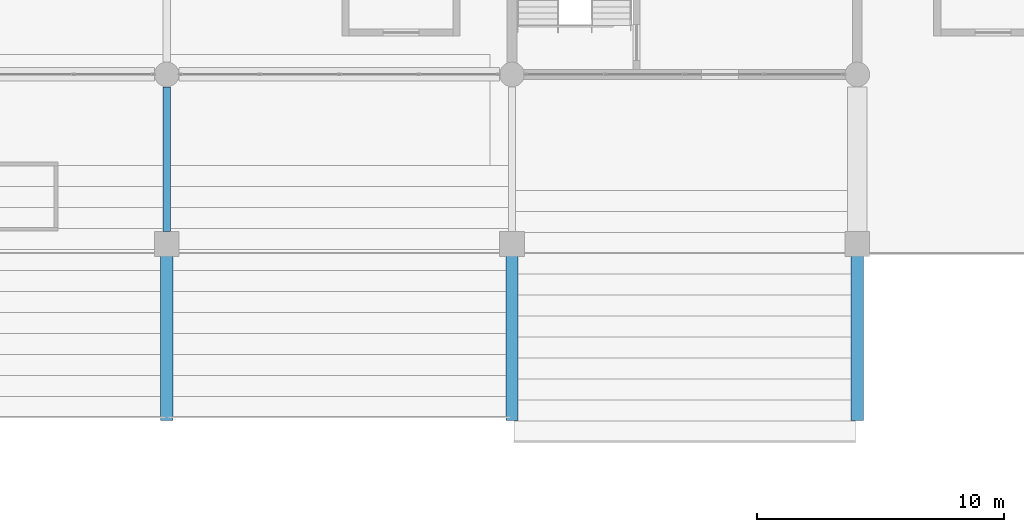
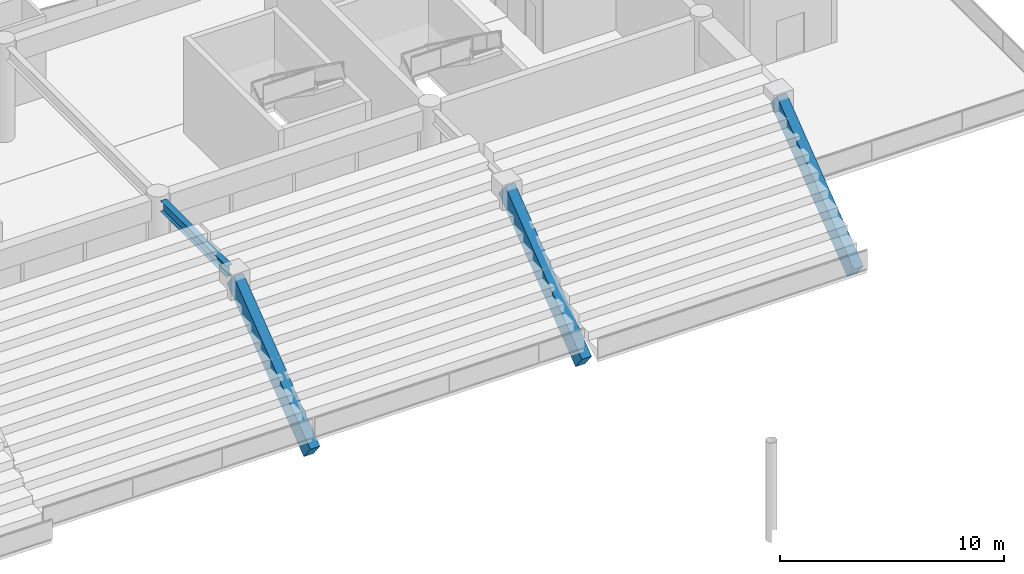
# One storey, part 66 of 117: 4 beams.
"""IFC4 building model written with IfcOpenShell, lengths in metres."""

from ifc_helpers import new_model, si_unit, direction, frame, origin, origin_2d, place, context, subcontext, project, spatial, rectangle, i_section, extrude, material, material_profile, profile_set, type_object, element, save


model = new_model("IFC4")

# Units and contexts
model_context = context("Model", 3, precision=1e-05, world=origin(), true_north=direction((0.0, 1.0)))
body_context = subcontext(model_context, "Body", "Model", "MODEL_VIEW")
ifc_project = project(units=[si_unit("LENGTHUNIT", "METRE"), si_unit("AREAUNIT", "SQUARE_METRE"), si_unit("VOLUMEUNIT", "CUBIC_METRE"), si_unit("PLANEANGLEUNIT", "RADIAN"), si_unit("MASSUNIT", "GRAM", prefix="KILO")], contexts=[model_context])

# Site, building, storey
site_placement = place(None, origin())
site = spatial("IfcSite", under=ifc_project, at=site_placement, CompositionType="ELEMENT")
building_placement = place(site_placement, origin())
building = spatial("IfcBuilding", under=site, at=building_placement, Name="Linyun Crest Stadium", CompositionType="ELEMENT")
storey_placement = place(building_placement, frame((0.0, 0.0, 6.0)))
storey = spatial("IfcBuildingStorey", under=building, at=storey_placement, Name="L02", CompositionType="ELEMENT", Elevation=6.0)

# Beams
ifc_material_1 = material(Name="Steel Q355C", Category="steel")
ifc_material_profile_1 = material_profile(ifc_material_1, i_section(OverallWidth=0.300048828125, OverallDepth=0.587890625, WebThickness=0.011962890625, FlangeThickness=0.02001953125, at=origin_2d()), Name="HM 588x300")
ifc_profile_set_1 = profile_set([ifc_material_profile_1], Name="Steel Q355C")
beam_type_1 = type_object("IfcBeamType", Name="B09", PredefinedType="BEAM", material=ifc_profile_set_1)
beam_placement = place(storey_placement, frame((0.0, 85.125, 4.906005859375), z_axis=(0.0, 1.0, 0.0), x_axis=(-1.0, 0.0, 0.0)))
element("IfcBeam", 1, at=beam_placement, inside=storey, type_object=beam_type_1, Name="Frame beam B09 L02 796", PredefinedType="BEAM", context=body_context, shape_type="SweptSolid", body=[
    extrude(i_section(OverallWidth=0.300048828125, OverallDepth=0.587890625, WebThickness=0.011962890625, FlangeThickness=0.02001953125, at=origin_2d()), origin(), (0.0, 0.0, 1.0), 5.875),
])
ifc_material_2 = material(Name="Precast concrete C50", Category="concrete")
ifc_material_profile_2 = material_profile(ifc_material_2, rectangle(XDim=0.5, YDim=0.949951171875, at=origin_2d()), Name="PCR 950x500")
ifc_profile_set_2 = profile_set([ifc_material_profile_2], Name="Precast concrete C50")
beam_type_2 = type_object("IfcBeamType", Name="RB01", PredefinedType="USERDEFINED", material=ifc_profile_set_2)
for number, where, z_axis, x_axis, name in (
    (2, (0.0, 77.75, -0.47998046875), (0.0, 0.793093848902, 0.609099455618), (-1.0, 0.0, 0.0), "Precast raker beam RB01 V3 78"),
    (3, (14.0, 77.75, -0.47998046875), (0.0, 0.793093848902, 0.609099455618), (-1.0, 0.0, 0.0), "Precast raker beam RB01 V3 84"),
    (4, (28.0, 77.75, -0.47998046875), (0.0, 0.793093848902, 0.609099455618), (-1.0, 0.0, 0.0), "Precast raker beam RB01 V3 90"),
):
    element("IfcBeam", number, at=place(storey_placement, frame(where, z_axis=z_axis, x_axis=x_axis)), inside=storey, type_object=beam_type_2, Name=name, ObjectType="RAKER", PredefinedType="USERDEFINED", context=body_context, shape_type="SweptSolid", body=[
        extrude(rectangle(XDim=0.5, YDim=0.949951171875, at=origin_2d()), origin(), (0.0, 0.0, 1.0), 8.668701171875),
    ])

save(model, "model.ifc")
